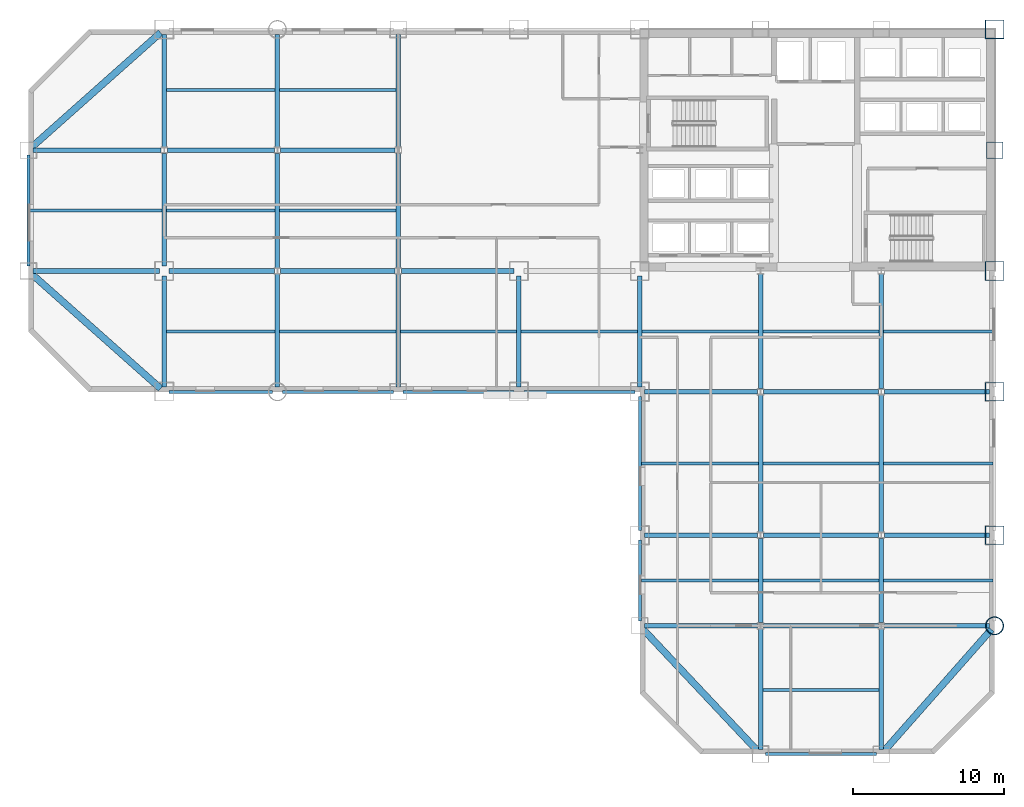
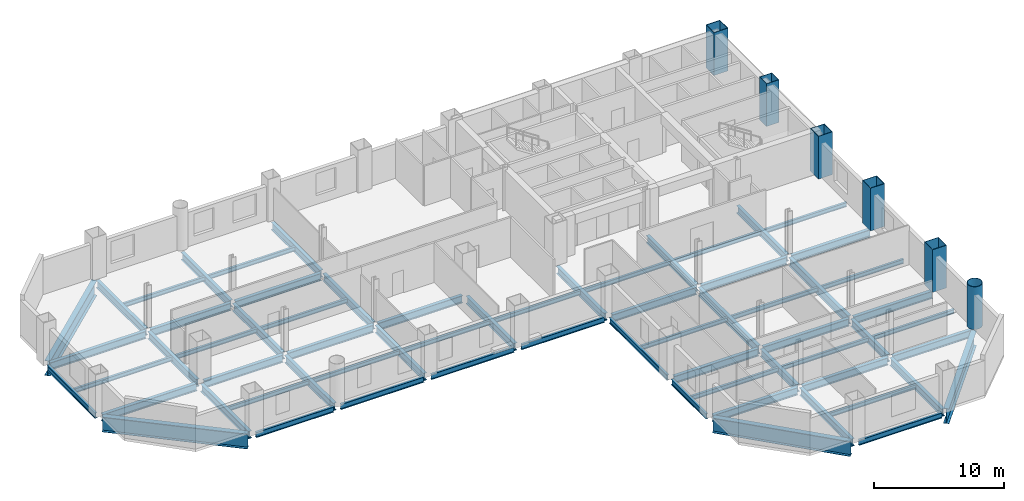
# One storey, part 3 of 9: 66 beams, 6 columns.
"""IFC4 building model written with IfcOpenShell, lengths in metres."""

from ifc_helpers import new_model, si_unit, direction, frame, origin, origin_2d, place, context, subcontext, project, spatial, hollow_rectangle, hollow_circle, i_section, extrude, material, material_profile, profile_set, type_object, element, save


model = new_model("IFC4")

# Units and contexts
model_context = context("Model", 3, precision=1e-05, world=origin(), true_north=direction((0.0, 1.0)))
body_context = subcontext(model_context, "Body", "Model", "MODEL_VIEW")
ifc_project = project(units=[si_unit("LENGTHUNIT", "METRE"), si_unit("AREAUNIT", "SQUARE_METRE"), si_unit("VOLUMEUNIT", "CUBIC_METRE"), si_unit("PLANEANGLEUNIT", "RADIAN"), si_unit("MASSUNIT", "GRAM", prefix="KILO")], contexts=[model_context])

# Site, building, storey
site_placement = place(None, origin())
site = spatial("IfcSite", under=ifc_project, at=site_placement, CompositionType="ELEMENT")
building_placement = place(site_placement, origin())
building = spatial("IfcBuilding", under=site, at=building_placement, Name="Qianrong Seaharbour Tower", CompositionType="ELEMENT")
storey_placement = place(building_placement, frame((0.0, 0.0, 56.199951171875)))
storey = spatial("IfcBuildingStorey", under=building, at=storey_placement, Name="L13", CompositionType="ELEMENT", Elevation=56.199951171875)

# Columns
ifc_material_1 = material(Name="Structural steel SN490B", Category="steel")
ifc_material_profile_1 = material_profile(ifc_material_1, hollow_rectangle(XDim=1.25, YDim=1.25, WallThickness=0.044921875, at=origin_2d()), Name="BOX1250x1250x45")
ifc_profile_set_1 = profile_set([ifc_material_profile_1], Name="Structural steel SN490B")
column_type_1 = type_object("IfcColumnType", Name="COL-CFT-1250", PredefinedType="COLUMN", material=ifc_profile_set_1)
for number, where, z_axis, x_axis, name in (
    (1, (64.0, 18.5, 0.0), (0.0, 0.0, 1.0), (1.0, 0.0, 0.0), "L13 Column MC-2 at G9/GD"),
    (2, (64.0, 28.0, 0.0), (0.0, 0.0, 1.0), (1.0, 0.0, 0.0), "L13 Column MC-2 at G9/GE"),
    (3, (64.0, 36.0, 0.0), (0.0, 0.0, 1.0), (1.0, 0.0, 0.0), "L13 Column MC-2 at G9/GF"),
    (4, (64.0, 52.0, 0.0), (0.0, 0.0, 1.0), (1.0, 0.0, 0.0), "L13 Column MC-2 at G9/GH"),
):
    element("IfcColumn", number, at=place(storey_placement, frame(where, z_axis=z_axis, x_axis=x_axis)), inside=storey, type_object=column_type_1, Name=name, PredefinedType="COLUMN", context=body_context, shape_type="SweptSolid", body=[
        extrude(hollow_rectangle(XDim=1.25, YDim=1.25, WallThickness=0.044921875, at=origin_2d()), origin(), (0.0, 0.0, 1.0), 4.0),
    ])
ifc_material_profile_2 = material_profile(ifc_material_1, hollow_circle(Radius=0.60009765625, WallThickness=0.0400390625, at=origin_2d()), Name="CHS1200x40")
ifc_profile_set_2 = profile_set([ifc_material_profile_2], Name="Structural steel SN490B")
column_type_2 = type_object("IfcColumnType", Name="COL-CHS-1200", PredefinedType="COLUMN", material=ifc_profile_set_2)
column_1_placement = place(storey_placement, frame((64.0, 12.5, 0.0), z_axis=(0.0, 0.0, 1.0), x_axis=(1.0, 0.0, 0.0)))
element("IfcColumn", 5, at=column_1_placement, inside=storey, type_object=column_type_2, Name="L13 Column CC-1 at G9/GC", PredefinedType="COLUMN", context=body_context, shape_type="SweptSolid", body=[
    extrude(hollow_circle(Radius=0.60009765625, WallThickness=0.0400390625, at=origin_2d()), origin(), (0.0, 0.0, 1.0), 4.0),
])
ifc_material_profile_3 = material_profile(ifc_material_1, hollow_rectangle(XDim=1.10009765625, YDim=1.10009765625, WallThickness=0.0400390625, at=origin_2d()), Name="BOX1100x1100x40")
ifc_profile_set_3 = profile_set([ifc_material_profile_3], Name="Structural steel SN490B")
column_type_3 = type_object("IfcColumnType", Name="COL-PER-1100", PredefinedType="COLUMN", material=ifc_profile_set_3)
column_2_placement = place(storey_placement, frame((64.0, 44.0, 0.0), z_axis=(0.0, 0.0, 1.0), x_axis=(1.0, 0.0, 0.0)))
element("IfcColumn", 6, at=column_2_placement, inside=storey, type_object=column_type_3, Name="L13 Column PC-1 at G9/GG", PredefinedType="COLUMN", context=body_context, shape_type="SweptSolid", body=[
    extrude(hollow_rectangle(XDim=1.10009765625, YDim=1.10009765625, WallThickness=0.0400390625, at=origin_2d()), origin(), (0.0, 0.0, 1.0), 4.0),
])

# Beams
ifc_material_profile_4 = material_profile(ifc_material_1, i_section(OverallWidth=0.300048828125, OverallDepth=0.699951171875, WebThickness=0.012939453125, FlangeThickness=0.02392578125, FilletRadius=0.02587890625, at=origin_2d()), Name="H700x300x13x24")
ifc_profile_set_4 = profile_set([ifc_material_profile_4], Name="Structural steel SN490B")
beam_type_1 = type_object("IfcBeamType", Name="BM-G-700", PredefinedType="BEAM", material=ifc_profile_set_4)
beam_1_placement = place(storey_placement, frame((40.820068359375, 12.5, -0.599853515625), z_axis=(1.0, 0.0, 0.0), x_axis=(0.0, 1.0, 0.0)))
element("IfcBeam", 7, at=beam_1_placement, inside=storey, type_object=beam_type_1, Name="L13 Primary Girder GC G6-G7", PredefinedType="BEAM", context=body_context, shape_type="SweptSolid", body=[
    extrude(i_section(OverallWidth=0.300048828125, OverallDepth=0.699951171875, WebThickness=0.012939453125, FlangeThickness=0.02392578125, FilletRadius=0.02587890625, at=origin_2d()), origin(), (0.0, 0.0, 1.0), 7.476318359375),
])
beam_2_placement = place(storey_placement, frame((48.70361328125, 12.5, -0.599853515625), z_axis=(1.0, 0.0, 0.0), x_axis=(0.0, 1.0, 0.0)))
element("IfcBeam", 8, at=beam_2_placement, inside=storey, type_object=beam_type_1, Name="L13 Primary Girder GC G7-G8", PredefinedType="BEAM", context=body_context, shape_type="SweptSolid", body=[
    extrude(i_section(OverallWidth=0.300048828125, OverallDepth=0.699951171875, WebThickness=0.012939453125, FlangeThickness=0.02392578125, FilletRadius=0.02587890625, at=origin_2d()), origin(), (0.0, 0.0, 1.0), 7.5927734375),
])
beam_3_placement = place(storey_placement, frame((56.70361328125, 12.5, -0.599853515625), z_axis=(1.0, 0.0, 0.0), x_axis=(0.0, 1.0, 0.0)))
element("IfcBeam", 9, at=beam_3_placement, inside=storey, type_object=beam_type_1, Name="L13 Primary Girder GC G8-G9", PredefinedType="BEAM", context=body_context, shape_type="SweptSolid", body=[
    extrude(i_section(OverallWidth=0.300048828125, OverallDepth=0.699951171875, WebThickness=0.012939453125, FlangeThickness=0.02392578125, FilletRadius=0.02587890625, at=origin_2d()), origin(), (0.0, 0.0, 1.0), 6.976318359375),
])
beam_4_placement = place(storey_placement, frame((40.820068359375, 18.5, -0.599853515625), z_axis=(1.0, 0.0, 0.0), x_axis=(0.0, 1.0, 0.0)))
element("IfcBeam", 10, at=beam_4_placement, inside=storey, type_object=beam_type_1, Name="L13 Primary Girder GD G6-G7", PredefinedType="BEAM", context=body_context, shape_type="SweptSolid", body=[
    extrude(i_section(OverallWidth=0.300048828125, OverallDepth=0.699951171875, WebThickness=0.012939453125, FlangeThickness=0.02392578125, FilletRadius=0.02587890625, at=origin_2d()), origin(), (0.0, 0.0, 1.0), 7.476318359375),
])
beam_5_placement = place(storey_placement, frame((48.70361328125, 18.5, -0.599853515625), z_axis=(1.0, 0.0, 0.0), x_axis=(0.0, 1.0, 0.0)))
element("IfcBeam", 11, at=beam_5_placement, inside=storey, type_object=beam_type_1, Name="L13 Primary Girder GD G7-G8", PredefinedType="BEAM", context=body_context, shape_type="SweptSolid", body=[
    extrude(i_section(OverallWidth=0.300048828125, OverallDepth=0.699951171875, WebThickness=0.012939453125, FlangeThickness=0.02392578125, FilletRadius=0.02587890625, at=origin_2d()), origin(), (0.0, 0.0, 1.0), 7.5927734375),
])
beam_6_placement = place(storey_placement, frame((56.70361328125, 18.5, -0.599853515625), z_axis=(1.0, 0.0, 0.0), x_axis=(0.0, 1.0, 0.0)))
element("IfcBeam", 12, at=beam_6_placement, inside=storey, type_object=beam_type_1, Name="L13 Primary Girder GD G8-G9", PredefinedType="BEAM", context=body_context, shape_type="SweptSolid", body=[
    extrude(i_section(OverallWidth=0.300048828125, OverallDepth=0.699951171875, WebThickness=0.012939453125, FlangeThickness=0.02392578125, FilletRadius=0.02587890625, at=origin_2d()), origin(), (0.0, 0.0, 1.0), 6.976318359375),
])
beam_7_placement = place(storey_placement, frame((40.820068359375, 28.0, -0.599853515625), z_axis=(1.0, 0.0, 0.0), x_axis=(0.0, 1.0, 0.0)))
element("IfcBeam", 13, at=beam_7_placement, inside=storey, type_object=beam_type_1, Name="L13 Primary Girder GE G6-G7", PredefinedType="BEAM", context=body_context, shape_type="SweptSolid", body=[
    extrude(i_section(OverallWidth=0.300048828125, OverallDepth=0.699951171875, WebThickness=0.012939453125, FlangeThickness=0.02392578125, FilletRadius=0.02587890625, at=origin_2d()), origin(), (0.0, 0.0, 1.0), 7.476318359375),
])
beam_8_placement = place(storey_placement, frame((48.70361328125, 28.0, -0.599853515625), z_axis=(1.0, 0.0, 0.0), x_axis=(0.0, 1.0, 0.0)))
element("IfcBeam", 14, at=beam_8_placement, inside=storey, type_object=beam_type_1, Name="L13 Primary Girder GE G7-G8", PredefinedType="BEAM", context=body_context, shape_type="SweptSolid", body=[
    extrude(i_section(OverallWidth=0.300048828125, OverallDepth=0.699951171875, WebThickness=0.012939453125, FlangeThickness=0.02392578125, FilletRadius=0.02587890625, at=origin_2d()), origin(), (0.0, 0.0, 1.0), 7.5927734375),
])
beam_9_placement = place(storey_placement, frame((56.70361328125, 28.0, -0.599853515625), z_axis=(1.0, 0.0, 0.0), x_axis=(0.0, 1.0, 0.0)))
element("IfcBeam", 15, at=beam_9_placement, inside=storey, type_object=beam_type_1, Name="L13 Primary Girder GE G8-G9", PredefinedType="BEAM", context=body_context, shape_type="SweptSolid", body=[
    extrude(i_section(OverallWidth=0.300048828125, OverallDepth=0.699951171875, WebThickness=0.012939453125, FlangeThickness=0.02392578125, FilletRadius=0.02587890625, at=origin_2d()), origin(), (0.0, 0.0, 1.0), 6.976318359375),
])
beam_10_placement = place(storey_placement, frame((0.320068359375, 36.0, -0.599853515625), z_axis=(1.0, 0.0, 0.0), x_axis=(0.0, 1.0, 0.0)))
element("IfcBeam", 16, at=beam_10_placement, inside=storey, type_object=beam_type_1, Name="L13 Primary Girder GF G1-G2", PredefinedType="BEAM", context=body_context, shape_type="SweptSolid", body=[
    extrude(i_section(OverallWidth=0.300048828125, OverallDepth=0.699951171875, WebThickness=0.012939453125, FlangeThickness=0.02392578125, FilletRadius=0.02587890625, at=origin_2d()), origin(), (0.0, 0.0, 1.0), 8.35986328125),
])
beam_11_placement = place(storey_placement, frame((9.320068359375, 36.0, -0.599853515625), z_axis=(1.0, 0.0, 0.0), x_axis=(0.0, 1.0, 0.0)))
element("IfcBeam", 17, at=beam_11_placement, inside=storey, type_object=beam_type_1, Name="L13 Primary Girder GF G2-G3", PredefinedType="BEAM", context=body_context, shape_type="SweptSolid", body=[
    extrude(i_section(OverallWidth=0.300048828125, OverallDepth=0.699951171875, WebThickness=0.012939453125, FlangeThickness=0.02392578125, FilletRadius=0.02587890625, at=origin_2d()), origin(), (0.0, 0.0, 1.0), 6.976318359375),
])
beam_12_placement = place(storey_placement, frame((16.70361328125, 36.0, -0.599853515625), z_axis=(1.0, 0.0, 0.0), x_axis=(0.0, 1.0, 0.0)))
element("IfcBeam", 18, at=beam_12_placement, inside=storey, type_object=beam_type_1, Name="L13 Primary Girder GF G3-G4", PredefinedType="BEAM", context=body_context, shape_type="SweptSolid", body=[
    extrude(i_section(OverallWidth=0.300048828125, OverallDepth=0.699951171875, WebThickness=0.012939453125, FlangeThickness=0.02392578125, FilletRadius=0.02587890625, at=origin_2d()), origin(), (0.0, 0.0, 1.0), 7.5927734375),
])
beam_13_placement = place(storey_placement, frame((24.70361328125, 36.0, -0.599853515625), z_axis=(1.0, 0.0, 0.0), x_axis=(0.0, 1.0, 0.0)))
element("IfcBeam", 19, at=beam_13_placement, inside=storey, type_object=beam_type_1, Name="L13 Primary Girder GF G4-G5", PredefinedType="BEAM", context=body_context, shape_type="SweptSolid", body=[
    extrude(i_section(OverallWidth=0.300048828125, OverallDepth=0.699951171875, WebThickness=0.012939453125, FlangeThickness=0.02392578125, FilletRadius=0.02587890625, at=origin_2d()), origin(), (0.0, 0.0, 1.0), 7.476318359375),
])
beam_14_placement = place(storey_placement, frame((0.320068359375, 44.0, -0.599853515625), z_axis=(1.0, 0.0, 0.0), x_axis=(0.0, 1.0, 0.0)))
element("IfcBeam", 20, at=beam_14_placement, inside=storey, type_object=beam_type_1, Name="L13 Primary Girder GG G1-G2", PredefinedType="BEAM", context=body_context, shape_type="SweptSolid", body=[
    extrude(i_section(OverallWidth=0.300048828125, OverallDepth=0.699951171875, WebThickness=0.012939453125, FlangeThickness=0.02392578125, FilletRadius=0.02587890625, at=origin_2d()), origin(), (0.0, 0.0, 1.0), 8.476318359375),
])
beam_15_placement = place(storey_placement, frame((9.20361328125, 44.0, -0.599853515625), z_axis=(1.0, 0.0, 0.0), x_axis=(0.0, 1.0, 0.0)))
element("IfcBeam", 21, at=beam_15_placement, inside=storey, type_object=beam_type_1, Name="L13 Primary Girder GG G2-G3", PredefinedType="BEAM", context=body_context, shape_type="SweptSolid", body=[
    extrude(i_section(OverallWidth=0.300048828125, OverallDepth=0.699951171875, WebThickness=0.012939453125, FlangeThickness=0.02392578125, FilletRadius=0.02587890625, at=origin_2d()), origin(), (0.0, 0.0, 1.0), 7.0927734375),
])
beam_16_placement = place(storey_placement, frame((16.70361328125, 44.0, -0.599853515625), z_axis=(1.0, 0.0, 0.0), x_axis=(0.0, 1.0, 0.0)))
element("IfcBeam", 22, at=beam_16_placement, inside=storey, type_object=beam_type_1, Name="L13 Primary Girder GG G3-G4", PredefinedType="BEAM", context=body_context, shape_type="SweptSolid", body=[
    extrude(i_section(OverallWidth=0.300048828125, OverallDepth=0.699951171875, WebThickness=0.012939453125, FlangeThickness=0.02392578125, FilletRadius=0.02587890625, at=origin_2d()), origin(), (0.0, 0.0, 1.0), 7.5927734375),
])
beam_17_placement = place(storey_placement, frame((9.0, 28.320068359375, -0.599853515625), z_axis=(0.0, 1.0, 0.0), x_axis=(-1.0, 0.0, 0.0)))
element("IfcBeam", 23, at=beam_17_placement, inside=storey, type_object=beam_type_1, Name="L13 Primary Girder G2 GE-GF", PredefinedType="BEAM", context=body_context, shape_type="SweptSolid", body=[
    extrude(i_section(OverallWidth=0.300048828125, OverallDepth=0.699951171875, WebThickness=0.012939453125, FlangeThickness=0.02392578125, FilletRadius=0.02587890625, at=origin_2d()), origin(), (0.0, 0.0, 1.0), 7.35986328125),
])
for number, where, z_axis, x_axis, name in (
    (24, (9.0, 36.320068359375, -0.599853515625), (0.0, 1.0, 0.0), (-1.0, 0.0, 0.0), "L13 Primary Girder G2 GF-GG"),
    (25, (9.0, 44.214111328125, -0.599853515625), (0.0, 1.0, 0.0), (-1.0, 0.0, 0.0), "L13 Primary Girder G2 GG-GH"),
    (26, (16.5, 28.320068359375, -0.599853515625), (0.0, 1.0, 0.0), (-1.0, 0.0, 0.0), "L13 Primary Girder G3 GE-GF"),
):
    element("IfcBeam", number, at=place(storey_placement, frame(where, z_axis=z_axis, x_axis=x_axis)), inside=storey, type_object=beam_type_1, Name=name, PredefinedType="BEAM", context=body_context, shape_type="SweptSolid", body=[
        extrude(i_section(OverallWidth=0.300048828125, OverallDepth=0.699951171875, WebThickness=0.012939453125, FlangeThickness=0.02392578125, FilletRadius=0.02587890625, at=origin_2d()), origin(), (0.0, 0.0, 1.0), 7.4658203125),
    ])
beam_18_placement = place(storey_placement, frame((16.5, 36.214111328125, -0.599853515625), z_axis=(0.0, 1.0, 0.0), x_axis=(-1.0, 0.0, 0.0)))
element("IfcBeam", 27, at=beam_18_placement, inside=storey, type_object=beam_type_1, Name="L13 Primary Girder G3 GF-GG", PredefinedType="BEAM", context=body_context, shape_type="SweptSolid", body=[
    extrude(i_section(OverallWidth=0.300048828125, OverallDepth=0.699951171875, WebThickness=0.012939453125, FlangeThickness=0.02392578125, FilletRadius=0.02587890625, at=origin_2d()), origin(), (0.0, 0.0, 1.0), 7.57177734375),
])
for number, where, z_axis, x_axis, name in (
    (28, (16.5, 44.214111328125, -0.599853515625), (0.0, 1.0, 0.0), (-1.0, 0.0, 0.0), "L13 Primary Girder G3 GG-GH"),
    (29, (24.5, 28.320068359375, -0.599853515625), (0.0, 1.0, 0.0), (-1.0, 0.0, 0.0), "L13 Primary Girder G4 GE-GF"),
):
    element("IfcBeam", number, at=place(storey_placement, frame(where, z_axis=z_axis, x_axis=x_axis)), inside=storey, type_object=beam_type_1, Name=name, PredefinedType="BEAM", context=body_context, shape_type="SweptSolid", body=[
        extrude(i_section(OverallWidth=0.300048828125, OverallDepth=0.699951171875, WebThickness=0.012939453125, FlangeThickness=0.02392578125, FilletRadius=0.02587890625, at=origin_2d()), origin(), (0.0, 0.0, 1.0), 7.4658203125),
    ])
beam_19_placement = place(storey_placement, frame((24.5, 36.214111328125, -0.599853515625), z_axis=(0.0, 1.0, 0.0), x_axis=(-1.0, 0.0, 0.0)))
element("IfcBeam", 30, at=beam_19_placement, inside=storey, type_object=beam_type_1, Name="L13 Primary Girder G4 GF-GG", PredefinedType="BEAM", context=body_context, shape_type="SweptSolid", body=[
    extrude(i_section(OverallWidth=0.300048828125, OverallDepth=0.699951171875, WebThickness=0.012939453125, FlangeThickness=0.02392578125, FilletRadius=0.02587890625, at=origin_2d()), origin(), (0.0, 0.0, 1.0), 7.57177734375),
])
beam_20_placement = place(storey_placement, frame((24.5, 44.214111328125, -0.599853515625), z_axis=(0.0, 1.0, 0.0), x_axis=(-1.0, 0.0, 0.0)))
element("IfcBeam", 31, at=beam_20_placement, inside=storey, type_object=beam_type_1, Name="L13 Primary Girder G4 GG-GH", PredefinedType="BEAM", context=body_context, shape_type="SweptSolid", body=[
    extrude(i_section(OverallWidth=0.300048828125, OverallDepth=0.699951171875, WebThickness=0.012939453125, FlangeThickness=0.02392578125, FilletRadius=0.02587890625, at=origin_2d()), origin(), (0.0, 0.0, 1.0), 7.4658203125),
])
for number, where, z_axis, x_axis, name in (
    (32, (32.5, 28.320068359375, -0.599853515625), (0.0, 1.0, 0.0), (-1.0, 0.0, 0.0), "L13 Primary Girder G5 GE-GF"),
    (33, (40.5, 28.320068359375, -0.599853515625), (0.0, 1.0, 0.0), (-1.0, 0.0, 0.0), "L13 Primary Girder G6 GE-GF"),
):
    element("IfcBeam", number, at=place(storey_placement, frame(where, z_axis=z_axis, x_axis=x_axis)), inside=storey, type_object=beam_type_1, Name=name, PredefinedType="BEAM", context=body_context, shape_type="SweptSolid", body=[
        extrude(i_section(OverallWidth=0.300048828125, OverallDepth=0.699951171875, WebThickness=0.012939453125, FlangeThickness=0.02392578125, FilletRadius=0.02587890625, at=origin_2d()), origin(), (0.0, 0.0, 1.0), 7.35986328125),
    ])
beam_21_placement = place(storey_placement, frame((48.5, 4.320068359375, -0.599853515625), z_axis=(0.0, 1.0, 0.0), x_axis=(-1.0, 0.0, 0.0)))
element("IfcBeam", 34, at=beam_21_placement, inside=storey, type_object=beam_type_1, Name="L13 Primary Girder G7 GB-GC", PredefinedType="BEAM", context=body_context, shape_type="SweptSolid", body=[
    extrude(i_section(OverallWidth=0.300048828125, OverallDepth=0.699951171875, WebThickness=0.012939453125, FlangeThickness=0.02392578125, FilletRadius=0.02587890625, at=origin_2d()), origin(), (0.0, 0.0, 1.0), 7.9658203125),
])
beam_22_placement = place(storey_placement, frame((48.5, 12.714111328125, -0.599853515625), z_axis=(0.0, 1.0, 0.0), x_axis=(-1.0, 0.0, 0.0)))
element("IfcBeam", 35, at=beam_22_placement, inside=storey, type_object=beam_type_1, Name="L13 Primary Girder G7 GC-GD", PredefinedType="BEAM", context=body_context, shape_type="SweptSolid", body=[
    extrude(i_section(OverallWidth=0.300048828125, OverallDepth=0.699951171875, WebThickness=0.012939453125, FlangeThickness=0.02392578125, FilletRadius=0.02587890625, at=origin_2d()), origin(), (0.0, 0.0, 1.0), 5.57177734375),
])
beam_23_placement = place(storey_placement, frame((48.5, 28.214111328125, -0.599853515625), z_axis=(0.0, 1.0, 0.0), x_axis=(-1.0, 0.0, 0.0)))
element("IfcBeam", 36, at=beam_23_placement, inside=storey, type_object=beam_type_1, Name="L13 Primary Girder G7 GE-GF", PredefinedType="BEAM", context=body_context, shape_type="SweptSolid", body=[
    extrude(i_section(OverallWidth=0.300048828125, OverallDepth=0.699951171875, WebThickness=0.012939453125, FlangeThickness=0.02392578125, FilletRadius=0.02587890625, at=origin_2d()), origin(), (0.0, 0.0, 1.0), 7.57177734375),
])
beam_24_placement = place(storey_placement, frame((56.5, 4.320068359375, -0.599853515625), z_axis=(0.0, 1.0, 0.0), x_axis=(-1.0, 0.0, 0.0)))
element("IfcBeam", 37, at=beam_24_placement, inside=storey, type_object=beam_type_1, Name="L13 Primary Girder G8 GB-GC", PredefinedType="BEAM", context=body_context, shape_type="SweptSolid", body=[
    extrude(i_section(OverallWidth=0.300048828125, OverallDepth=0.699951171875, WebThickness=0.012939453125, FlangeThickness=0.02392578125, FilletRadius=0.02587890625, at=origin_2d()), origin(), (0.0, 0.0, 1.0), 7.9658203125),
])
beam_25_placement = place(storey_placement, frame((56.5, 12.714111328125, -0.599853515625), z_axis=(0.0, 1.0, 0.0), x_axis=(-1.0, 0.0, 0.0)))
element("IfcBeam", 38, at=beam_25_placement, inside=storey, type_object=beam_type_1, Name="L13 Primary Girder G8 GC-GD", PredefinedType="BEAM", context=body_context, shape_type="SweptSolid", body=[
    extrude(i_section(OverallWidth=0.300048828125, OverallDepth=0.699951171875, WebThickness=0.012939453125, FlangeThickness=0.02392578125, FilletRadius=0.02587890625, at=origin_2d()), origin(), (0.0, 0.0, 1.0), 5.57177734375),
])
beam_26_placement = place(storey_placement, frame((56.5, 28.214111328125, -0.599853515625), z_axis=(0.0, 1.0, 0.0), x_axis=(-1.0, 0.0, 0.0)))
element("IfcBeam", 39, at=beam_26_placement, inside=storey, type_object=beam_type_1, Name="L13 Primary Girder G8 GE-GF", PredefinedType="BEAM", context=body_context, shape_type="SweptSolid", body=[
    extrude(i_section(OverallWidth=0.300048828125, OverallDepth=0.699951171875, WebThickness=0.012939453125, FlangeThickness=0.02392578125, FilletRadius=0.02587890625, at=origin_2d()), origin(), (0.0, 0.0, 1.0), 7.57177734375),
])
ifc_material_profile_5 = material_profile(ifc_material_1, i_section(OverallWidth=0.300048828125, OverallDepth=0.800048828125, WebThickness=0.013916015625, FlangeThickness=0.02587890625, FilletRadius=0.028076171875, at=origin_2d()), Name="H800x300x14x26")
ifc_profile_set_5 = profile_set([ifc_material_profile_5], Name="Structural steel SN490B")
beam_type_2 = type_object("IfcBeamType", Name="BM-G-800", PredefinedType="BEAM", material=ifc_profile_set_5)
for number, where, z_axis, x_axis, name in (
    (40, (48.5, 18.714111328125, -0.64990234375), (0.0, 1.0, 0.0), (-1.0, 0.0, 0.0), "L13 Primary Girder G7 GD-GE"),
    (41, (56.5, 18.714111328125, -0.64990234375), (0.0, 1.0, 0.0), (-1.0, 0.0, 0.0), "L13 Primary Girder G8 GD-GE"),
):
    element("IfcBeam", number, at=place(storey_placement, frame(where, z_axis=z_axis, x_axis=x_axis)), inside=storey, type_object=beam_type_2, Name=name, PredefinedType="BEAM", context=body_context, shape_type="SweptSolid", body=[
        extrude(i_section(OverallWidth=0.300048828125, OverallDepth=0.800048828125, WebThickness=0.013916015625, FlangeThickness=0.02587890625, FilletRadius=0.028076171875, at=origin_2d()), origin(), (0.0, 0.0, 1.0), 9.07177734375),
    ])
ifc_material_2 = material(Name="Structural steel SN400B", Category="steel")
ifc_material_profile_6 = material_profile(ifc_material_2, i_section(OverallWidth=0.199951171875, OverallDepth=0.39990234375, WebThickness=0.008056640625, FlangeThickness=0.012939453125, FilletRadius=0.01611328125, at=origin_2d()), Name="H400x200x8x13")
ifc_profile_set_6 = profile_set([ifc_material_profile_6], Name="Structural steel SN400B")
beam_type_3 = type_object("IfcBeamType", Name="BM-J-400", PredefinedType="JOIST", material=ifc_profile_set_6)
beam_27_placement = place(storey_placement, frame((0.10009765625, 40.0, -0.449951171875), z_axis=(1.0, 0.0, 0.0), x_axis=(0.0, 1.0, 0.0)))
element("IfcBeam", 42, at=beam_27_placement, inside=storey, type_object=beam_type_3, Name="L13 Composite Floor Joist G1-G2/GF-GG", PredefinedType="JOIST", context=body_context, shape_type="SweptSolid", body=[
    extrude(i_section(OverallWidth=0.199951171875, OverallDepth=0.39990234375, WebThickness=0.008056640625, FlangeThickness=0.012939453125, FilletRadius=0.01611328125, at=origin_2d()), origin(), (0.0, 0.0, 1.0), 8.75),
])
for number, where, z_axis, x_axis, name in (
    (43, (9.14990234375, 32.0, -0.449951171875), (1.0, 0.0, 0.0), (0.0, 1.0, 0.0), "L13 Composite Floor Joist G2-G3/GE-GF"),
    (44, (9.14990234375, 40.0, -0.449951171875), (1.0, 0.0, 0.0), (0.0, 1.0, 0.0), "L13 Composite Floor Joist G2-G3/GF-GG"),
    (45, (9.14990234375, 48.0, -0.449951171875), (1.0, 0.0, 0.0), (0.0, 1.0, 0.0), "L13 Composite Floor Joist G2-G3/GG-GH"),
):
    element("IfcBeam", number, at=place(storey_placement, frame(where, z_axis=z_axis, x_axis=x_axis)), inside=storey, type_object=beam_type_3, Name=name, PredefinedType="JOIST", context=body_context, shape_type="SweptSolid", body=[
        extrude(i_section(OverallWidth=0.199951171875, OverallDepth=0.39990234375, WebThickness=0.008056640625, FlangeThickness=0.012939453125, FilletRadius=0.01611328125, at=origin_2d()), origin(), (0.0, 0.0, 1.0), 7.2001953125),
    ])
for number, where, z_axis, x_axis, name in (
    (46, (16.64990234375, 32.0, -0.449951171875), (1.0, 0.0, 0.0), (0.0, 1.0, 0.0), "L13 Composite Floor Joist G3-G4/GE-GF"),
    (47, (16.64990234375, 40.0, -0.449951171875), (1.0, 0.0, 0.0), (0.0, 1.0, 0.0), "L13 Composite Floor Joist G3-G4/GF-GG"),
    (48, (16.64990234375, 48.0, -0.449951171875), (1.0, 0.0, 0.0), (0.0, 1.0, 0.0), "L13 Composite Floor Joist G3-G4/GG-GH"),
    (49, (24.64990234375, 32.0, -0.449951171875), (1.0, 0.0, 0.0), (0.0, 1.0, 0.0), "L13 Composite Floor Joist G4-G5/GE-GF"),
    (50, (32.64990234375, 32.0, -0.449951171875), (1.0, 0.0, 0.0), (0.0, 1.0, 0.0), "L13 Composite Floor Joist G5-G6/GE-GF"),
):
    element("IfcBeam", number, at=place(storey_placement, frame(where, z_axis=z_axis, x_axis=x_axis)), inside=storey, type_object=beam_type_3, Name=name, PredefinedType="JOIST", context=body_context, shape_type="SweptSolid", body=[
        extrude(i_section(OverallWidth=0.199951171875, OverallDepth=0.39990234375, WebThickness=0.008056640625, FlangeThickness=0.012939453125, FilletRadius=0.01611328125, at=origin_2d()), origin(), (0.0, 0.0, 1.0), 7.7001953125),
    ])
for number, where, z_axis, x_axis, name in (
    (51, (40.60009765625, 15.5, -0.449951171875), (1.0, 0.0, 0.0), (0.0, 1.0, 0.0), "L13 Composite Floor Joist G6-G7/GC-GD"),
    (52, (40.60009765625, 23.25, -0.449951171875), (1.0, 0.0, 0.0), (0.0, 1.0, 0.0), "L13 Composite Floor Joist G6-G7/GD-GE"),
):
    element("IfcBeam", number, at=place(storey_placement, frame(where, z_axis=z_axis, x_axis=x_axis)), inside=storey, type_object=beam_type_3, Name=name, PredefinedType="JOIST", context=body_context, shape_type="SweptSolid", body=[
        extrude(i_section(OverallWidth=0.199951171875, OverallDepth=0.39990234375, WebThickness=0.008056640625, FlangeThickness=0.012939453125, FilletRadius=0.01611328125, at=origin_2d()), origin(), (0.0, 0.0, 1.0), 7.75),
    ])
for number, where, z_axis, x_axis, name in (
    (53, (40.64990234375, 32.0, -0.449951171875), (1.0, 0.0, 0.0), (0.0, 1.0, 0.0), "L13 Composite Floor Joist G6-G7/GE-GF"),
    (54, (48.64990234375, 8.25, -0.449951171875), (1.0, 0.0, 0.0), (0.0, 1.0, 0.0), "L13 Composite Floor Joist G7-G8/GB-GC"),
    (55, (48.64990234375, 15.5, -0.449951171875), (1.0, 0.0, 0.0), (0.0, 1.0, 0.0), "L13 Composite Floor Joist G7-G8/GC-GD"),
    (56, (48.64990234375, 23.25, -0.449951171875), (1.0, 0.0, 0.0), (0.0, 1.0, 0.0), "L13 Composite Floor Joist G7-G8/GD-GE"),
    (57, (48.64990234375, 32.0, -0.449951171875), (1.0, 0.0, 0.0), (0.0, 1.0, 0.0), "L13 Composite Floor Joist G7-G8/GE-GF"),
):
    element("IfcBeam", number, at=place(storey_placement, frame(where, z_axis=z_axis, x_axis=x_axis)), inside=storey, type_object=beam_type_3, Name=name, PredefinedType="JOIST", context=body_context, shape_type="SweptSolid", body=[
        extrude(i_section(OverallWidth=0.199951171875, OverallDepth=0.39990234375, WebThickness=0.008056640625, FlangeThickness=0.012939453125, FilletRadius=0.01611328125, at=origin_2d()), origin(), (0.0, 0.0, 1.0), 7.7001953125),
    ])
for number, where, z_axis, x_axis, name in (
    (58, (56.64990234375, 15.5, -0.449951171875), (1.0, 0.0, 0.0), (0.0, 1.0, 0.0), "L13 Composite Floor Joist G8-G9/GC-GD"),
    (59, (56.64990234375, 23.25, -0.449951171875), (1.0, 0.0, 0.0), (0.0, 1.0, 0.0), "L13 Composite Floor Joist G8-G9/GD-GE"),
    (60, (56.64990234375, 32.0, -0.449951171875), (1.0, 0.0, 0.0), (0.0, 1.0, 0.0), "L13 Composite Floor Joist G8-G9/GE-GF"),
):
    element("IfcBeam", number, at=place(storey_placement, frame(where, z_axis=z_axis, x_axis=x_axis)), inside=storey, type_object=beam_type_3, Name=name, PredefinedType="JOIST", context=body_context, shape_type="SweptSolid", body=[
        extrude(i_section(OverallWidth=0.199951171875, OverallDepth=0.39990234375, WebThickness=0.008056640625, FlangeThickness=0.012939453125, FilletRadius=0.01611328125, at=origin_2d()), origin(), (0.0, 0.0, 1.0), 7.25),
    ])
ifc_material_profile_7 = material_profile(ifc_material_1, i_section(OverallWidth=0.199951171875, OverallDepth=0.5, WebThickness=0.010009765625, FlangeThickness=0.01611328125, FilletRadius=0.02001953125, at=origin_2d()), Name="H500x200x10x16")
ifc_profile_set_7 = profile_set([ifc_material_profile_7], Name="Structural steel SN490B")
beam_type_4 = type_object("IfcBeamType", Name="BM-SP-500", PredefinedType="SPANDREL", material=ifc_profile_set_7)
beam_28_placement = place(storey_placement, frame((48.820068359375, 4.0, -0.5), z_axis=(1.0, 0.0, 0.0), x_axis=(0.0, 1.0, 0.0)))
element("IfcBeam", 61, at=beam_28_placement, inside=storey, type_object=beam_type_4, Name="L13 Spandrel Girder GB G7-G8", PredefinedType="SPANDREL", context=body_context, shape_type="SweptSolid", body=[
    extrude(i_section(OverallWidth=0.199951171875, OverallDepth=0.5, WebThickness=0.010009765625, FlangeThickness=0.01611328125, FilletRadius=0.02001953125, at=origin_2d()), origin(), (0.0, 0.0, 1.0), 7.35986328125),
])
beam_29_placement = place(storey_placement, frame((9.320068359375, 28.0, -0.5), z_axis=(1.0, 0.0, 0.0), x_axis=(0.0, 1.0, 0.0)))
element("IfcBeam", 62, at=beam_29_placement, inside=storey, type_object=beam_type_4, Name="L13 Spandrel Girder GE G2-G3", PredefinedType="SPANDREL", context=body_context, shape_type="SweptSolid", body=[
    extrude(i_section(OverallWidth=0.199951171875, OverallDepth=0.5, WebThickness=0.010009765625, FlangeThickness=0.01611328125, FilletRadius=0.02001953125, at=origin_2d()), origin(), (0.0, 0.0, 1.0), 6.85986328125),
])
for number, where, z_axis, x_axis, name in (
    (63, (16.820068359375, 28.0, -0.5), (1.0, 0.0, 0.0), (0.0, 1.0, 0.0), "L13 Spandrel Girder GE G3-G4"),
    (64, (24.820068359375, 28.0, -0.5), (1.0, 0.0, 0.0), (0.0, 1.0, 0.0), "L13 Spandrel Girder GE G4-G5"),
    (65, (32.820068359375, 28.0, -0.5), (1.0, 0.0, 0.0), (0.0, 1.0, 0.0), "L13 Spandrel Girder GE G5-G6"),
    (66, (0.0, 36.320068359375, -0.5), (0.0, 1.0, 0.0), (-1.0, 0.0, 0.0), "L13 Spandrel Girder G1 GF-GG"),
):
    element("IfcBeam", number, at=place(storey_placement, frame(where, z_axis=z_axis, x_axis=x_axis)), inside=storey, type_object=beam_type_4, Name=name, PredefinedType="SPANDREL", context=body_context, shape_type="SweptSolid", body=[
        extrude(i_section(OverallWidth=0.199951171875, OverallDepth=0.5, WebThickness=0.010009765625, FlangeThickness=0.01611328125, FilletRadius=0.02001953125, at=origin_2d()), origin(), (0.0, 0.0, 1.0), 7.35986328125),
    ])
beam_30_placement = place(storey_placement, frame((40.5, 12.820068359375, -0.5), z_axis=(0.0, 1.0, 0.0), x_axis=(-1.0, 0.0, 0.0)))
element("IfcBeam", 67, at=beam_30_placement, inside=storey, type_object=beam_type_4, Name="L13 Spandrel Girder G6 GC-GD", PredefinedType="SPANDREL", context=body_context, shape_type="SweptSolid", body=[
    extrude(i_section(OverallWidth=0.199951171875, OverallDepth=0.5, WebThickness=0.010009765625, FlangeThickness=0.01611328125, FilletRadius=0.02001953125, at=origin_2d()), origin(), (0.0, 0.0, 1.0), 5.35986328125),
])
beam_31_placement = place(storey_placement, frame((40.5, 18.820068359375, -0.5), z_axis=(0.0, 1.0, 0.0), x_axis=(-1.0, 0.0, 0.0)))
element("IfcBeam", 68, at=beam_31_placement, inside=storey, type_object=beam_type_4, Name="L13 Spandrel Girder G6 GD-GE", PredefinedType="SPANDREL", context=body_context, shape_type="SweptSolid", body=[
    extrude(i_section(OverallWidth=0.199951171875, OverallDepth=0.5, WebThickness=0.010009765625, FlangeThickness=0.01611328125, FilletRadius=0.02001953125, at=origin_2d()), origin(), (0.0, 0.0, 1.0), 8.85986328125),
])
ifc_material_profile_8 = material_profile(ifc_material_1, i_section(OverallWidth=0.449951171875, OverallDepth=1.39990234375, WebThickness=0.02197265625, FlangeThickness=0.0400390625, at=origin_2d()), Name="BH1400x450x22x40")
ifc_profile_set_8 = profile_set([ifc_material_profile_8], Name="Structural steel SN490B")
beam_type_5 = type_object("IfcBeamType", Name="BM-TG-1400", PredefinedType="BEAM", material=ifc_profile_set_8)
for number, where, z_axis, x_axis, name in (
    (69, (8.7607421875, 28.212646484375, -0.949951171875), (-0.747406955841, 0.664366497018, 0.0), (-0.664366497018, -0.747406955841, 0.0), "L13 Chamfer Corner Spandrel Girder G1/GE"),
    (70, (8.7607421875, 51.787353515625, -0.949951171875), (-0.747406955841, -0.664366497018, 0.0), (0.664366497018, -0.747406955841, 0.0), "L13 Chamfer Corner Spandrel Girder G1/GH"),
):
    element("IfcBeam", number, at=place(storey_placement, frame(where, z_axis=z_axis, x_axis=x_axis)), inside=storey, type_object=beam_type_5, Name=name, PredefinedType="BEAM", context=body_context, shape_type="SweptSolid", body=[
        extrude(i_section(OverallWidth=0.449951171875, OverallDepth=1.39990234375, WebThickness=0.02197265625, FlangeThickness=0.0400390625, at=origin_2d()), origin(), (0.0, 0.0, 1.0), 11.4013671875),
    ])
beam_32_placement = place(storey_placement, frame((48.28076171875, 4.23291015625, -0.949951171875), z_axis=(-0.685361938021, 0.728202591256, 0.0), x_axis=(-0.728202591256, -0.685361938021, 0.0)))
element("IfcBeam", 71, at=beam_32_placement, inside=storey, type_object=beam_type_5, Name="L13 Chamfer Corner Spandrel Girder G6/GB", PredefinedType="BEAM", context=body_context, shape_type="SweptSolid", body=[
    extrude(i_section(OverallWidth=0.449951171875, OverallDepth=1.39990234375, WebThickness=0.02197265625, FlangeThickness=0.0400390625, at=origin_2d()), origin(), (0.0, 0.0, 1.0), 11.032958984375),
])
beam_33_placement = place(storey_placement, frame((56.711669921875, 4.239990234375, -0.949951171875), z_axis=(0.661630696334, 0.749829861815, 0.0), x_axis=(-0.749829861815, 0.661630696334, 0.0)))
element("IfcBeam", 72, at=beam_33_placement, inside=storey, type_object=beam_type_5, Name="L13 Chamfer Corner Spandrel Girder G9/GB", PredefinedType="BEAM", context=body_context, shape_type="SweptSolid", body=[
    extrude(i_section(OverallWidth=0.449951171875, OverallDepth=1.39990234375, WebThickness=0.02197265625, FlangeThickness=0.0400390625, at=origin_2d()), origin(), (0.0, 0.0, 1.0), 10.69580078125),
])

save(model, "model.ifc")
